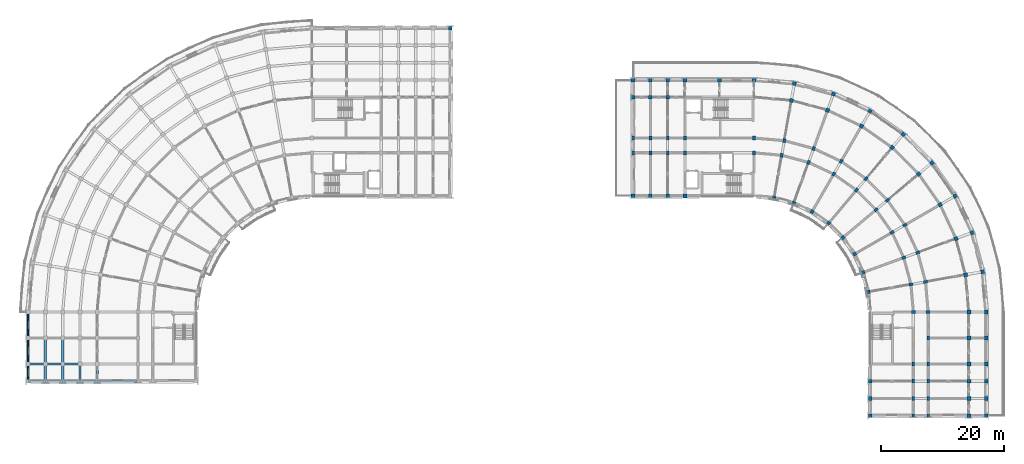
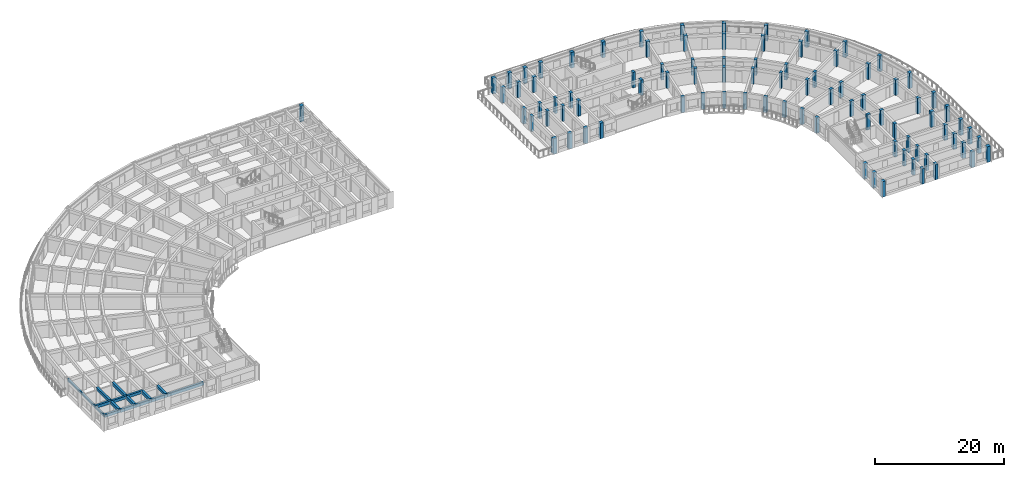
# One storey, part 2 of 36: 90 columns, 17 beams.
"""IFC4 building model written with IfcOpenShell, lengths in metres."""

from ifc_helpers import new_model, si_unit, direction, frame, origin, origin_2d, place, context, subcontext, project, spatial, rectangle, extrude, material, material_profile, profile_set, type_object, element, save


model = new_model("IFC4")

# Units and contexts
model_context = context("Model", 3, precision=1e-05, world=origin(), true_north=direction((0.0, 1.0)))
body_context = subcontext(model_context, "Body", "Model", "MODEL_VIEW")
ifc_project = project(units=[si_unit("LENGTHUNIT", "METRE"), si_unit("AREAUNIT", "SQUARE_METRE"), si_unit("VOLUMEUNIT", "CUBIC_METRE"), si_unit("PLANEANGLEUNIT", "RADIAN"), si_unit("MASSUNIT", "GRAM", prefix="KILO")], contexts=[model_context])

# Site, building, storey
site_placement = place(None, origin())
site = spatial("IfcSite", under=ifc_project, at=site_placement, CompositionType="ELEMENT")
building_placement = place(site_placement, origin())
building = spatial("IfcBuilding", under=site, at=building_placement, Name="Kiranvali Square Residences", CompositionType="ELEMENT")
storey_placement = place(building_placement, frame((0.0, 0.0, 37.050048828125)))
storey = spatial("IfcBuildingStorey", under=building, at=storey_placement, Name="L11", CompositionType="ELEMENT", Elevation=37.050048828125)

# Columns
ifc_material_1 = material(Name="Concrete M40 (40 MPa)", Category="concrete")
ifc_material_profile_1 = material_profile(ifc_material_1, rectangle(XDim=0.550048828125, YDim=0.550048828125, at=origin_2d()), Name="RC 550x550")
ifc_profile_set_1 = profile_set([ifc_material_profile_1], Name="Concrete M40 (40 MPa)")
column_type_1 = type_object("IfcColumnType", Name="COL-M40-550", PredefinedType="COLUMN", material=ifc_profile_set_1)
for number, where, z_axis, x_axis, name in (
    (1, (123.064697265625, 106.314453125, 0.0), (0.0, 0.0, 1.0), (-0.984807753012, 0.173648177667, 0.0), "Block B L11 radial column A01-R0"),
    (2, (126.22998046875, 105.46630859375, 0.0), (0.0, 0.0, 1.0), (-0.939692620786, 0.342020143326, 0.0), "Block B L11 radial column A02-R0"),
    (3, (129.199951171875, 104.081298828125, 0.0), (0.0, 0.0, 1.0), (-0.866025403784, 0.5, 0.0), "Block B L11 radial column A03-R0"),
    (4, (131.884521484375, 102.20166015625, 0.0), (0.0, 0.0, 1.0), (-0.766044443119, 0.642787609687, 0.0), "Block B L11 radial column A04-R0"),
    (5, (134.20166015625, 99.884521484375, 0.0), (0.0, 0.0, 1.0), (-0.642787609687, 0.766044443119, 0.0), "Block B L11 radial column A05-R0"),
    (6, (136.081298828125, 97.199951171875, 0.0), (0.0, 0.0, 1.0), (-0.5, 0.866025403784, 0.0), "Block B L11 radial column A06-R0"),
    (7, (137.46630859375, 94.22998046875, 0.0), (0.0, 0.0, 1.0), (-0.342020143326, 0.939692620786, 0.0), "Block B L11 radial column A07-R0"),
    (8, (138.314453125, 91.064697265625, 0.0), (0.0, 0.0, 1.0), (-0.173648177667, 0.984807753012, 0.0), "Block B L11 radial column A08-R0"),
):
    element("IfcColumn", number, at=place(storey_placement, frame(where, z_axis=z_axis, x_axis=x_axis)), inside=storey, type_object=column_type_1, Name=name, PredefinedType="COLUMN", context=body_context, shape_type="SweptSolid", body=[
        extrude(rectangle(XDim=0.550048828125, YDim=0.550048828125, at=origin_2d()), origin(), (0.0, 0.0, 1.0), 2.929931640625),
    ])
ifc_material_profile_2 = material_profile(ifc_material_1, rectangle(XDim=0.60009765625, YDim=0.60009765625, at=origin_2d()), Name="RC 600x600")
ifc_profile_set_2 = profile_set([ifc_material_profile_2], Name="Concrete M40 (40 MPa)")
column_type_2 = type_object("IfcColumnType", Name="COL-M40-600", PredefinedType="COLUMN", material=ifc_profile_set_2)
for number, where, z_axis, x_axis, name in (
    (9, (70.60009765625, 133.800048828125, 0.0), (0.0, 0.0, 1.0), (1.0, 0.0, 0.0), "Block A L11 Arm 1 column U5-R7"),
    (10, (119.800048828125, 125.39990234375, 0.0), (0.0, 0.0, 1.0), (1.0, 0.0, 0.0), "Block B L11 radial column A00-R4"),
):
    element("IfcColumn", number, at=place(storey_placement, frame(where, z_axis=z_axis, x_axis=x_axis)), inside=storey, type_object=column_type_2, Name=name, PredefinedType="COLUMN", context=body_context, shape_type="SweptSolid", body=[
        extrude(rectangle(XDim=0.60009765625, YDim=0.60009765625, at=origin_2d()), origin(), (0.0, 0.0, 1.0), 2.969970703125),
    ])
column_1_placement = place(storey_placement, frame((125.843017578125, 122.0712890625, 0.0), z_axis=(0.0, 0.0, 1.0), x_axis=(-0.984807753012, 0.173648177667, 0.0)))
element("IfcColumn", 11, at=column_1_placement, inside=storey, type_object=column_type_2, Name="Block B L11 radial column A01-R3", PredefinedType="COLUMN", context=body_context, shape_type="SweptSolid", body=[
    extrude(rectangle(XDim=0.60009765625, YDim=0.60009765625, at=origin_2d()), origin(), (0.0, 0.0, 1.0), 2.929931640625),
])
column_2_placement = place(storey_placement, frame((126.3291015625, 124.828857421875, 0.0), z_axis=(0.0, 0.0, 1.0), x_axis=(-0.984807753012, 0.173648177667, 0.0)))
element("IfcColumn", 12, at=column_2_placement, inside=storey, type_object=column_type_2, Name="Block B L11 radial column A01-R4", PredefinedType="COLUMN", context=body_context, shape_type="SweptSolid", body=[
    extrude(rectangle(XDim=0.60009765625, YDim=0.60009765625, at=origin_2d()), origin(), (0.0, 0.0, 1.0), 2.969970703125),
])
column_3_placement = place(storey_placement, frame((131.702392578125, 120.501220703125, 0.0), z_axis=(0.0, 0.0, 1.0), x_axis=(-0.939692620786, 0.342020143326, 0.0)))
element("IfcColumn", 13, at=column_3_placement, inside=storey, type_object=column_type_2, Name="Block B L11 radial column A02-R3", PredefinedType="COLUMN", context=body_context, shape_type="SweptSolid", body=[
    extrude(rectangle(XDim=0.60009765625, YDim=0.60009765625, at=origin_2d()), origin(), (0.0, 0.0, 1.0), 2.929931640625),
])
column_4_placement = place(storey_placement, frame((132.659912109375, 123.13232421875, 0.0), z_axis=(0.0, 0.0, 1.0), x_axis=(-0.939692620786, 0.342020143326, 0.0)))
element("IfcColumn", 14, at=column_4_placement, inside=storey, type_object=column_type_2, Name="Block B L11 radial column A02-R4", PredefinedType="COLUMN", context=body_context, shape_type="SweptSolid", body=[
    extrude(rectangle(XDim=0.60009765625, YDim=0.60009765625, at=origin_2d()), origin(), (0.0, 0.0, 1.0), 2.969970703125),
])
column_5_placement = place(storey_placement, frame((137.199951171875, 117.937744140625, 0.0), z_axis=(0.0, 0.0, 1.0), x_axis=(-0.866025403784, 0.5, 0.0)))
element("IfcColumn", 15, at=column_5_placement, inside=storey, type_object=column_type_2, Name="Block B L11 radial column A03-R3", PredefinedType="COLUMN", context=body_context, shape_type="SweptSolid", body=[
    extrude(rectangle(XDim=0.60009765625, YDim=0.60009765625, at=origin_2d()), origin(), (0.0, 0.0, 1.0), 2.929931640625),
])
column_6_placement = place(storey_placement, frame((138.60009765625, 120.362548828125, 0.0), z_axis=(0.0, 0.0, 1.0), x_axis=(-0.866025403784, 0.5, 0.0)))
element("IfcColumn", 16, at=column_6_placement, inside=storey, type_object=column_type_2, Name="Block B L11 radial column A03-R4", PredefinedType="COLUMN", context=body_context, shape_type="SweptSolid", body=[
    extrude(rectangle(XDim=0.60009765625, YDim=0.60009765625, at=origin_2d()), origin(), (0.0, 0.0, 1.0), 2.969970703125),
])
column_7_placement = place(storey_placement, frame((142.1689453125, 114.458251953125, 0.0), z_axis=(0.0, 0.0, 1.0), x_axis=(-0.766044443119, 0.642787609687, 0.0)))
element("IfcColumn", 17, at=column_7_placement, inside=storey, type_object=column_type_2, Name="Block B L11 radial column A04-R3", PredefinedType="COLUMN", context=body_context, shape_type="SweptSolid", body=[
    extrude(rectangle(XDim=0.60009765625, YDim=0.60009765625, at=origin_2d()), origin(), (0.0, 0.0, 1.0), 2.929931640625),
])
column_8_placement = place(storey_placement, frame((143.96875, 116.603271484375, 0.0), z_axis=(0.0, 0.0, 1.0), x_axis=(-0.766044443119, 0.642787609687, 0.0)))
element("IfcColumn", 18, at=column_8_placement, inside=storey, type_object=column_type_2, Name="Block B L11 radial column A04-R4", PredefinedType="COLUMN", context=body_context, shape_type="SweptSolid", body=[
    extrude(rectangle(XDim=0.60009765625, YDim=0.60009765625, at=origin_2d()), origin(), (0.0, 0.0, 1.0), 2.969970703125),
])
column_9_placement = place(storey_placement, frame((146.458251953125, 110.1689453125, 0.0), z_axis=(0.0, 0.0, 1.0), x_axis=(-0.642787609687, 0.766044443119, 0.0)))
element("IfcColumn", 19, at=column_9_placement, inside=storey, type_object=column_type_2, Name="Block B L11 radial column A05-R3", PredefinedType="COLUMN", context=body_context, shape_type="SweptSolid", body=[
    extrude(rectangle(XDim=0.60009765625, YDim=0.60009765625, at=origin_2d()), origin(), (0.0, 0.0, 1.0), 2.929931640625),
])
column_10_placement = place(storey_placement, frame((148.603271484375, 111.96875, 0.0), z_axis=(0.0, 0.0, 1.0), x_axis=(-0.642787609687, 0.766044443119, 0.0)))
element("IfcColumn", 20, at=column_10_placement, inside=storey, type_object=column_type_2, Name="Block B L11 radial column A05-R4", PredefinedType="COLUMN", context=body_context, shape_type="SweptSolid", body=[
    extrude(rectangle(XDim=0.60009765625, YDim=0.60009765625, at=origin_2d()), origin(), (0.0, 0.0, 1.0), 2.969970703125),
])
column_11_placement = place(storey_placement, frame((149.937744140625, 105.199951171875, 0.0), z_axis=(0.0, 0.0, 1.0), x_axis=(-0.5, 0.866025403784, 0.0)))
element("IfcColumn", 21, at=column_11_placement, inside=storey, type_object=column_type_2, Name="Block B L11 radial column A06-R3", PredefinedType="COLUMN", context=body_context, shape_type="SweptSolid", body=[
    extrude(rectangle(XDim=0.60009765625, YDim=0.60009765625, at=origin_2d()), origin(), (0.0, 0.0, 1.0), 2.929931640625),
])
column_12_placement = place(storey_placement, frame((152.362548828125, 106.60009765625, 0.0), z_axis=(0.0, 0.0, 1.0), x_axis=(-0.5, 0.866025403784, 0.0)))
element("IfcColumn", 22, at=column_12_placement, inside=storey, type_object=column_type_2, Name="Block B L11 radial column A06-R4", PredefinedType="COLUMN", context=body_context, shape_type="SweptSolid", body=[
    extrude(rectangle(XDim=0.60009765625, YDim=0.60009765625, at=origin_2d()), origin(), (0.0, 0.0, 1.0), 2.969970703125),
])
column_13_placement = place(storey_placement, frame((152.501220703125, 99.702392578125, 0.0), z_axis=(0.0, 0.0, 1.0), x_axis=(-0.342020143326, 0.939692620786, 0.0)))
element("IfcColumn", 23, at=column_13_placement, inside=storey, type_object=column_type_2, Name="Block B L11 radial column A07-R3", PredefinedType="COLUMN", context=body_context, shape_type="SweptSolid", body=[
    extrude(rectangle(XDim=0.60009765625, YDim=0.60009765625, at=origin_2d()), origin(), (0.0, 0.0, 1.0), 2.929931640625),
])
column_14_placement = place(storey_placement, frame((155.13232421875, 100.659912109375, 0.0), z_axis=(0.0, 0.0, 1.0), x_axis=(-0.342020143326, 0.939692620786, 0.0)))
element("IfcColumn", 24, at=column_14_placement, inside=storey, type_object=column_type_2, Name="Block B L11 radial column A07-R4", PredefinedType="COLUMN", context=body_context, shape_type="SweptSolid", body=[
    extrude(rectangle(XDim=0.60009765625, YDim=0.60009765625, at=origin_2d()), origin(), (0.0, 0.0, 1.0), 2.969970703125),
])
column_15_placement = place(storey_placement, frame((154.0712890625, 93.843017578125, 0.0), z_axis=(0.0, 0.0, 1.0), x_axis=(-0.173648177667, 0.984807753012, 0.0)))
element("IfcColumn", 25, at=column_15_placement, inside=storey, type_object=column_type_2, Name="Block B L11 radial column A08-R3", PredefinedType="COLUMN", context=body_context, shape_type="SweptSolid", body=[
    extrude(rectangle(XDim=0.60009765625, YDim=0.60009765625, at=origin_2d()), origin(), (0.0, 0.0, 1.0), 2.929931640625),
])
column_16_placement = place(storey_placement, frame((156.828857421875, 94.3291015625, 0.0), z_axis=(0.0, 0.0, 1.0), x_axis=(-0.173648177667, 0.984807753012, 0.0)))
element("IfcColumn", 26, at=column_16_placement, inside=storey, type_object=column_type_2, Name="Block B L11 radial column A08-R4", PredefinedType="COLUMN", context=body_context, shape_type="SweptSolid", body=[
    extrude(rectangle(XDim=0.60009765625, YDim=0.60009765625, at=origin_2d()), origin(), (0.0, 0.0, 1.0), 2.969970703125),
])
column_17_placement = place(storey_placement, frame((154.60009765625, 87.800048828125, 0.0), z_axis=(0.0, 0.0, 1.0), x_axis=(0.0, 1.0, 0.0)))
element("IfcColumn", 27, at=column_17_placement, inside=storey, type_object=column_type_2, Name="Block B L11 radial column A09-R3", PredefinedType="COLUMN", context=body_context, shape_type="SweptSolid", body=[
    extrude(rectangle(XDim=0.60009765625, YDim=0.60009765625, at=origin_2d()), origin(), (0.0, 0.0, 1.0), 2.929931640625),
])
for number, where, z_axis, x_axis, name in (
    (28, (157.39990234375, 87.800048828125, 0.0), (0.0, 0.0, 1.0), (0.0, 1.0, 0.0), "Block B L11 radial column A09-R4"),
    (29, (114.199951171875, 125.39990234375, 0.0), (0.0, 0.0, 1.0), (1.0, 0.0, 0.0), "Block B L11 core-front column U0-R4"),
):
    element("IfcColumn", number, at=place(storey_placement, frame(where, z_axis=z_axis, x_axis=x_axis)), inside=storey, type_object=column_type_2, Name=name, PredefinedType="COLUMN", context=body_context, shape_type="SweptSolid", body=[
        extrude(rectangle(XDim=0.60009765625, YDim=0.60009765625, at=origin_2d()), origin(), (0.0, 0.0, 1.0), 2.969970703125),
    ])
column_18_placement = place(storey_placement, frame((108.60009765625, 106.60009765625, 0.0), z_axis=(0.0, 0.0, 1.0), x_axis=(1.0, 0.0, 0.0)))
element("IfcColumn", 30, at=column_18_placement, inside=storey, type_object=column_type_2, Name="Block B L11 Arm 1 column U1-R0", PredefinedType="COLUMN", context=body_context, shape_type="SweptSolid", body=[
    extrude(rectangle(XDim=0.60009765625, YDim=0.60009765625, at=origin_2d()), origin(), (0.0, 0.0, 1.0), 2.929931640625),
])
column_19_placement = place(storey_placement, frame((108.60009765625, 125.39990234375, 0.0), z_axis=(0.0, 0.0, 1.0), x_axis=(1.0, 0.0, 0.0)))
element("IfcColumn", 31, at=column_19_placement, inside=storey, type_object=column_type_2, Name="Block B L11 Arm 1 column U1-R4", PredefinedType="COLUMN", context=body_context, shape_type="SweptSolid", body=[
    extrude(rectangle(XDim=0.60009765625, YDim=0.60009765625, at=origin_2d()), origin(), (0.0, 0.0, 1.0), 2.969970703125),
])
for number, where, z_axis, x_axis, name in (
    (32, (105.800048828125, 106.60009765625, 0.0), (0.0, 0.0, 1.0), (1.0, 0.0, 0.0), "Block B L11 Arm 1 column U2-R0"),
    (33, (105.800048828125, 122.60009765625, 0.0), (0.0, 0.0, 1.0), (1.0, 0.0, 0.0), "Block B L11 Arm 1 column U2-R3"),
):
    element("IfcColumn", number, at=place(storey_placement, frame(where, z_axis=z_axis, x_axis=x_axis)), inside=storey, type_object=column_type_2, Name=name, PredefinedType="COLUMN", context=body_context, shape_type="SweptSolid", body=[
        extrude(rectangle(XDim=0.60009765625, YDim=0.60009765625, at=origin_2d()), origin(), (0.0, 0.0, 1.0), 2.929931640625),
    ])
column_20_placement = place(storey_placement, frame((105.800048828125, 125.39990234375, 0.0), z_axis=(0.0, 0.0, 1.0), x_axis=(1.0, 0.0, 0.0)))
element("IfcColumn", 34, at=column_20_placement, inside=storey, type_object=column_type_2, Name="Block B L11 Arm 1 column U2-R4", PredefinedType="COLUMN", context=body_context, shape_type="SweptSolid", body=[
    extrude(rectangle(XDim=0.60009765625, YDim=0.60009765625, at=origin_2d()), origin(), (0.0, 0.0, 1.0), 2.969970703125),
])
for number, where, z_axis, x_axis, name in (
    (35, (103.0, 106.60009765625, 0.0), (0.0, 0.0, 1.0), (1.0, 0.0, 0.0), "Block B L11 Arm 1 column U3-R0"),
    (36, (103.0, 122.60009765625, 0.0), (0.0, 0.0, 1.0), (1.0, 0.0, 0.0), "Block B L11 Arm 1 column U3-R3"),
):
    element("IfcColumn", number, at=place(storey_placement, frame(where, z_axis=z_axis, x_axis=x_axis)), inside=storey, type_object=column_type_2, Name=name, PredefinedType="COLUMN", context=body_context, shape_type="SweptSolid", body=[
        extrude(rectangle(XDim=0.60009765625, YDim=0.60009765625, at=origin_2d()), origin(), (0.0, 0.0, 1.0), 2.929931640625),
    ])
column_21_placement = place(storey_placement, frame((103.0, 125.39990234375, 0.0), z_axis=(0.0, 0.0, 1.0), x_axis=(1.0, 0.0, 0.0)))
element("IfcColumn", 37, at=column_21_placement, inside=storey, type_object=column_type_2, Name="Block B L11 Arm 1 column U3-R4", PredefinedType="COLUMN", context=body_context, shape_type="SweptSolid", body=[
    extrude(rectangle(XDim=0.60009765625, YDim=0.60009765625, at=origin_2d()), origin(), (0.0, 0.0, 1.0), 2.969970703125),
])
for number, where, z_axis, x_axis, name in (
    (38, (100.199951171875, 106.60009765625, 0.0), (0.0, 0.0, 1.0), (1.0, 0.0, 0.0), "Block B L11 Arm 1 column U4-R0"),
    (39, (100.199951171875, 122.60009765625, 0.0), (0.0, 0.0, 1.0), (1.0, 0.0, 0.0), "Block B L11 Arm 1 column U4-R3"),
):
    element("IfcColumn", number, at=place(storey_placement, frame(where, z_axis=z_axis, x_axis=x_axis)), inside=storey, type_object=column_type_2, Name=name, PredefinedType="COLUMN", context=body_context, shape_type="SweptSolid", body=[
        extrude(rectangle(XDim=0.60009765625, YDim=0.60009765625, at=origin_2d()), origin(), (0.0, 0.0, 1.0), 2.929931640625),
    ])
column_22_placement = place(storey_placement, frame((100.199951171875, 125.39990234375, 0.0), z_axis=(0.0, 0.0, 1.0), x_axis=(1.0, 0.0, 0.0)))
element("IfcColumn", 40, at=column_22_placement, inside=storey, type_object=column_type_2, Name="Block B L11 Arm 1 column U4-R4", PredefinedType="COLUMN", context=body_context, shape_type="SweptSolid", body=[
    extrude(rectangle(XDim=0.60009765625, YDim=0.60009765625, at=origin_2d()), origin(), (0.0, 0.0, 1.0), 2.969970703125),
])
column_23_placement = place(storey_placement, frame((154.60009765625, 83.60009765625, 0.0), z_axis=(0.0, 0.0, 1.0), x_axis=(1.0, 0.0, 0.0)))
element("IfcColumn", 41, at=column_23_placement, inside=storey, type_object=column_type_2, Name="Block B L11 Arm 2 mid-core column V0-R3", PredefinedType="COLUMN", context=body_context, shape_type="SweptSolid", body=[
    extrude(rectangle(XDim=0.60009765625, YDim=0.60009765625, at=origin_2d()), origin(), (0.0, 0.0, 1.0), 2.929931640625),
])
column_24_placement = place(storey_placement, frame((157.39990234375, 83.60009765625, 0.0), z_axis=(0.0, 0.0, 1.0), x_axis=(1.0, 0.0, 0.0)))
element("IfcColumn", 42, at=column_24_placement, inside=storey, type_object=column_type_2, Name="Block B L11 Arm 2 mid-core column V0-R4", PredefinedType="COLUMN", context=body_context, shape_type="SweptSolid", body=[
    extrude(rectangle(XDim=0.60009765625, YDim=0.60009765625, at=origin_2d()), origin(), (0.0, 0.0, 1.0), 2.969970703125),
])
column_25_placement = place(storey_placement, frame((154.60009765625, 79.39990234375, 0.0), z_axis=(0.0, 0.0, 1.0), x_axis=(1.0, 0.0, 0.0)))
element("IfcColumn", 43, at=column_25_placement, inside=storey, type_object=column_type_2, Name="Block B L11 Arm 2 column V1-R3", PredefinedType="COLUMN", context=body_context, shape_type="SweptSolid", body=[
    extrude(rectangle(XDim=0.60009765625, YDim=0.60009765625, at=origin_2d()), origin(), (0.0, 0.0, 1.0), 2.929931640625),
])
column_26_placement = place(storey_placement, frame((157.39990234375, 79.39990234375, 0.0), z_axis=(0.0, 0.0, 1.0), x_axis=(1.0, 0.0, 0.0)))
element("IfcColumn", 44, at=column_26_placement, inside=storey, type_object=column_type_2, Name="Block B L11 Arm 2 column V1-R4", PredefinedType="COLUMN", context=body_context, shape_type="SweptSolid", body=[
    extrude(rectangle(XDim=0.60009765625, YDim=0.60009765625, at=origin_2d()), origin(), (0.0, 0.0, 1.0), 2.969970703125),
])
for number, where, z_axis, x_axis, name in (
    (45, (138.60009765625, 76.60009765625, 0.0), (0.0, 0.0, 1.0), (1.0, 0.0, 0.0), "Block B L11 Arm 2 column V2-R0"),
    (46, (154.60009765625, 76.60009765625, 0.0), (0.0, 0.0, 1.0), (1.0, 0.0, 0.0), "Block B L11 Arm 2 column V2-R3"),
):
    element("IfcColumn", number, at=place(storey_placement, frame(where, z_axis=z_axis, x_axis=x_axis)), inside=storey, type_object=column_type_2, Name=name, PredefinedType="COLUMN", context=body_context, shape_type="SweptSolid", body=[
        extrude(rectangle(XDim=0.60009765625, YDim=0.60009765625, at=origin_2d()), origin(), (0.0, 0.0, 1.0), 2.929931640625),
    ])
column_27_placement = place(storey_placement, frame((157.39990234375, 76.60009765625, 0.0), z_axis=(0.0, 0.0, 1.0), x_axis=(1.0, 0.0, 0.0)))
element("IfcColumn", 47, at=column_27_placement, inside=storey, type_object=column_type_2, Name="Block B L11 Arm 2 column V2-R4", PredefinedType="COLUMN", context=body_context, shape_type="SweptSolid", body=[
    extrude(rectangle(XDim=0.60009765625, YDim=0.60009765625, at=origin_2d()), origin(), (0.0, 0.0, 1.0), 2.969970703125),
])
for number, where, z_axis, x_axis, name in (
    (48, (138.60009765625, 73.800048828125, 0.0), (0.0, 0.0, 1.0), (1.0, 0.0, 0.0), "Block B L11 Arm 2 column V3-R0"),
    (49, (154.60009765625, 73.800048828125, 0.0), (0.0, 0.0, 1.0), (1.0, 0.0, 0.0), "Block B L11 Arm 2 column V3-R3"),
):
    element("IfcColumn", number, at=place(storey_placement, frame(where, z_axis=z_axis, x_axis=x_axis)), inside=storey, type_object=column_type_2, Name=name, PredefinedType="COLUMN", context=body_context, shape_type="SweptSolid", body=[
        extrude(rectangle(XDim=0.60009765625, YDim=0.60009765625, at=origin_2d()), origin(), (0.0, 0.0, 1.0), 2.929931640625),
    ])
column_28_placement = place(storey_placement, frame((157.39990234375, 73.800048828125, 0.0), z_axis=(0.0, 0.0, 1.0), x_axis=(1.0, 0.0, 0.0)))
element("IfcColumn", 50, at=column_28_placement, inside=storey, type_object=column_type_2, Name="Block B L11 Arm 2 column V3-R4", PredefinedType="COLUMN", context=body_context, shape_type="SweptSolid", body=[
    extrude(rectangle(XDim=0.60009765625, YDim=0.60009765625, at=origin_2d()), origin(), (0.0, 0.0, 1.0), 2.969970703125),
])
for number, where, z_axis, x_axis, name in (
    (51, (138.60009765625, 71.0, 0.0), (0.0, 0.0, 1.0), (1.0, 0.0, 0.0), "Block B L11 Arm 2 column V4-R0"),
    (52, (154.60009765625, 71.0, 0.0), (0.0, 0.0, 1.0), (1.0, 0.0, 0.0), "Block B L11 Arm 2 column V4-R3"),
):
    element("IfcColumn", number, at=place(storey_placement, frame(where, z_axis=z_axis, x_axis=x_axis)), inside=storey, type_object=column_type_2, Name=name, PredefinedType="COLUMN", context=body_context, shape_type="SweptSolid", body=[
        extrude(rectangle(XDim=0.60009765625, YDim=0.60009765625, at=origin_2d()), origin(), (0.0, 0.0, 1.0), 2.929931640625),
    ])
column_29_placement = place(storey_placement, frame((157.39990234375, 71.0, 0.0), z_axis=(0.0, 0.0, 1.0), x_axis=(1.0, 0.0, 0.0)))
element("IfcColumn", 53, at=column_29_placement, inside=storey, type_object=column_type_2, Name="Block B L11 Arm 2 column V4-R4", PredefinedType="COLUMN", context=body_context, shape_type="SweptSolid", body=[
    extrude(rectangle(XDim=0.60009765625, YDim=0.60009765625, at=origin_2d()), origin(), (0.0, 0.0, 1.0), 2.969970703125),
])
ifc_material_profile_3 = material_profile(ifc_material_1, rectangle(XDim=0.449951171875, YDim=0.64990234375, at=origin_2d()), Name="RC 650x450")
ifc_profile_set_3 = profile_set([ifc_material_profile_3], Name="Concrete M40 (40 MPa)")
column_type_3 = type_object("IfcColumnType", Name="COL-M40-650x450", PredefinedType="COLUMN", material=ifc_profile_set_3)
for number, where, z_axis, x_axis, name in (
    (54, (119.800048828125, 113.60009765625, 0.0), (0.0, 0.0, 1.0), (1.0, 0.0, 0.0), "Block B L11 radial column A00-R1"),
    (55, (119.800048828125, 116.0, 0.0), (0.0, 0.0, 1.0), (1.0, 0.0, 0.0), "Block B L11 radial column A00-R2"),
    (56, (124.280029296875, 113.2080078125, 0.0), (0.0, 0.0, 1.0), (-0.984807753012, 0.173648177667, 0.0), "Block B L11 radial column A01-R1"),
    (57, (124.69677734375, 115.571533203125, 0.0), (0.0, 0.0, 1.0), (-0.984807753012, 0.173648177667, 0.0), "Block B L11 radial column A01-R2"),
    (58, (128.6240234375, 112.044189453125, 0.0), (0.0, 0.0, 1.0), (-0.939692620786, 0.342020143326, 0.0), "Block B L11 radial column A02-R1"),
    (59, (129.445068359375, 114.29931640625, 0.0), (0.0, 0.0, 1.0), (-0.939692620786, 0.342020143326, 0.0), "Block B L11 radial column A02-R2"),
    (60, (132.699951171875, 110.1435546875, 0.0), (0.0, 0.0, 1.0), (-0.866025403784, 0.5, 0.0), "Block B L11 radial column A03-R1"),
    (61, (133.89990234375, 112.221923828125, 0.0), (0.0, 0.0, 1.0), (-0.866025403784, 0.5, 0.0), "Block B L11 radial column A03-R2"),
    (62, (136.384033203125, 107.56396484375, 0.0), (0.0, 0.0, 1.0), (-0.766044443119, 0.642787609687, 0.0), "Block B L11 radial column A04-R1"),
    (63, (137.926513671875, 109.40234375, 0.0), (0.0, 0.0, 1.0), (-0.766044443119, 0.642787609687, 0.0), "Block B L11 radial column A04-R2"),
    (64, (139.56396484375, 104.384033203125, 0.0), (0.0, 0.0, 1.0), (-0.642787609687, 0.766044443119, 0.0), "Block B L11 radial column A05-R1"),
    (65, (141.40234375, 105.926513671875, 0.0), (0.0, 0.0, 1.0), (-0.642787609687, 0.766044443119, 0.0), "Block B L11 radial column A05-R2"),
    (66, (142.1435546875, 100.699951171875, 0.0), (0.0, 0.0, 1.0), (-0.5, 0.866025403784, 0.0), "Block B L11 radial column A06-R1"),
    (67, (144.221923828125, 101.89990234375, 0.0), (0.0, 0.0, 1.0), (-0.5, 0.866025403784, 0.0), "Block B L11 radial column A06-R2"),
    (68, (144.044189453125, 96.6240234375, 0.0), (0.0, 0.0, 1.0), (-0.342020143326, 0.939692620786, 0.0), "Block B L11 radial column A07-R1"),
    (69, (146.29931640625, 97.445068359375, 0.0), (0.0, 0.0, 1.0), (-0.342020143326, 0.939692620786, 0.0), "Block B L11 radial column A07-R2"),
    (70, (145.2080078125, 92.280029296875, 0.0), (0.0, 0.0, 1.0), (-0.173648177667, 0.984807753012, 0.0), "Block B L11 radial column A08-R1"),
    (71, (147.571533203125, 92.69677734375, 0.0), (0.0, 0.0, 1.0), (-0.173648177667, 0.984807753012, 0.0), "Block B L11 radial column A08-R2"),
    (72, (145.60009765625, 87.800048828125, 0.0), (0.0, 0.0, 1.0), (0.0, 1.0, 0.0), "Block B L11 radial column A09-R1"),
    (73, (148.0, 87.800048828125, 0.0), (0.0, 0.0, 1.0), (0.0, 1.0, 0.0), "Block B L11 radial column A09-R2"),
    (74, (108.60009765625, 113.60009765625, 0.0), (0.0, 0.0, 1.0), (1.0, 0.0, 0.0), "Block B L11 Arm 1 column U1-R1"),
    (75, (108.60009765625, 116.0, 0.0), (0.0, 0.0, 1.0), (1.0, 0.0, 0.0), "Block B L11 Arm 1 column U1-R2"),
    (76, (105.800048828125, 113.60009765625, 0.0), (0.0, 0.0, 1.0), (1.0, 0.0, 0.0), "Block B L11 Arm 1 column U2-R1"),
    (77, (105.800048828125, 116.0, 0.0), (0.0, 0.0, 1.0), (1.0, 0.0, 0.0), "Block B L11 Arm 1 column U2-R2"),
    (78, (103.0, 113.60009765625, 0.0), (0.0, 0.0, 1.0), (1.0, 0.0, 0.0), "Block B L11 Arm 1 column U3-R1"),
    (79, (103.0, 116.0, 0.0), (0.0, 0.0, 1.0), (1.0, 0.0, 0.0), "Block B L11 Arm 1 column U3-R2"),
    (80, (100.199951171875, 113.60009765625, 0.0), (0.0, 0.0, 1.0), (1.0, 0.0, 0.0), "Block B L11 Arm 1 column U4-R1"),
    (81, (100.199951171875, 116.0, 0.0), (0.0, 0.0, 1.0), (1.0, 0.0, 0.0), "Block B L11 Arm 1 column U4-R2"),
    (82, (148.0, 83.60009765625, 0.0), (0.0, 0.0, 1.0), (1.0, 0.0, 0.0), "Block B L11 Arm 2 mid-core column V0-R2"),
    (83, (145.60009765625, 79.39990234375, 0.0), (0.0, 0.0, 1.0), (1.0, 0.0, 0.0), "Block B L11 Arm 2 column V1-R1"),
    (84, (148.0, 79.39990234375, 0.0), (0.0, 0.0, 1.0), (1.0, 0.0, 0.0), "Block B L11 Arm 2 column V1-R2"),
    (85, (145.60009765625, 76.60009765625, 0.0), (0.0, 0.0, 1.0), (1.0, 0.0, 0.0), "Block B L11 Arm 2 column V2-R1"),
    (86, (148.0, 76.60009765625, 0.0), (0.0, 0.0, 1.0), (1.0, 0.0, 0.0), "Block B L11 Arm 2 column V2-R2"),
    (87, (145.60009765625, 73.800048828125, 0.0), (0.0, 0.0, 1.0), (1.0, 0.0, 0.0), "Block B L11 Arm 2 column V3-R1"),
    (88, (148.0, 73.800048828125, 0.0), (0.0, 0.0, 1.0), (1.0, 0.0, 0.0), "Block B L11 Arm 2 column V3-R2"),
    (89, (145.60009765625, 71.0, 0.0), (0.0, 0.0, 1.0), (1.0, 0.0, 0.0), "Block B L11 Arm 2 column V4-R1"),
    (90, (148.0, 71.0, 0.0), (0.0, 0.0, 1.0), (1.0, 0.0, 0.0), "Block B L11 Arm 2 column V4-R2"),
):
    element("IfcColumn", number, at=place(storey_placement, frame(where, z_axis=z_axis, x_axis=x_axis)), inside=storey, type_object=column_type_3, Name=name, PredefinedType="COLUMN", context=body_context, shape_type="SweptSolid", body=[
        extrude(rectangle(XDim=0.449951171875, YDim=0.64990234375, at=origin_2d()), origin(), (0.0, 0.0, 1.0), 2.929931640625),
    ])

# Beams
ifc_material_profile_4 = material_profile(ifc_material_1, rectangle(XDim=0.35009765625, YDim=0.550048828125, at=origin_2d()), Name="RC 350x550")
ifc_profile_set_4 = profile_set([ifc_material_profile_4], Name="Concrete M40 (40 MPa)")
beam_type_1 = type_object("IfcBeamType", Name="BM-M40-350x550", PredefinedType="BEAM", material=ifc_profile_set_4)
for number, where, z_axis, x_axis, name in (
    (91, (10.60009765625, 79.39990234375, 2.655029296875), (-1.0, 0.0, 0.0), (0.0, -1.0, 0.0), "L11 beam BM-A-L11-A2T1-45"),
    (92, (7.800048828125, 79.39990234375, 2.655029296875), (-1.0, 0.0, 0.0), (0.0, -1.0, 0.0), "L11 beam BM-A-L11-A2T1-56"),
    (93, (5.0, 79.39990234375, 2.695068359375), (-1.0, 0.0, 0.0), (0.0, -1.0, 0.0), "L11 beam BM-A-L11-A2T1-67"),
):
    element("IfcBeam", number, at=place(storey_placement, frame(where, z_axis=z_axis, x_axis=x_axis)), inside=storey, type_object=beam_type_1, Name=name, PredefinedType="BEAM", context=body_context, shape_type="SweptSolid", body=[
        extrude(rectangle(XDim=0.35009765625, YDim=0.550048828125, at=origin_2d()), origin(), (0.0, 0.0, 1.0), 2.800048828125),
    ])
beam_1_placement = place(storey_placement, frame((20.0, 76.60009765625, 2.655029296875), z_axis=(-1.0, 0.0, 0.0), x_axis=(0.0, -1.0, 0.0)))
element("IfcBeam", 94, at=beam_1_placement, inside=storey, type_object=beam_type_1, Name="L11 beam BM-A-L11-A2T2-23", PredefinedType="BEAM", context=body_context, shape_type="SweptSolid", body=[
    extrude(rectangle(XDim=0.35009765625, YDim=0.550048828125, at=origin_2d()), origin(), (0.0, 0.0, 1.0), 6.60009765625),
])
beam_2_placement = place(storey_placement, frame((13.39990234375, 76.60009765625, 2.655029296875), z_axis=(-1.0, 0.0, 0.0), x_axis=(0.0, -1.0, 0.0)))
element("IfcBeam", 95, at=beam_2_placement, inside=storey, type_object=beam_type_1, Name="L11 beam BM-A-L11-A2T2-34", PredefinedType="BEAM", context=body_context, shape_type="SweptSolid", body=[
    extrude(rectangle(XDim=0.35009765625, YDim=0.550048828125, at=origin_2d()), origin(), (0.0, 0.0, 1.0), 2.7998046875),
])
for number, where, z_axis, x_axis, name in (
    (96, (10.60009765625, 76.60009765625, 2.655029296875), (-1.0, 0.0, 0.0), (0.0, -1.0, 0.0), "L11 beam BM-A-L11-A2T2-45"),
    (97, (7.800048828125, 76.60009765625, 2.655029296875), (-1.0, 0.0, 0.0), (0.0, -1.0, 0.0), "L11 beam BM-A-L11-A2T2-56"),
    (98, (5.0, 76.60009765625, 2.695068359375), (-1.0, 0.0, 0.0), (0.0, -1.0, 0.0), "L11 beam BM-A-L11-A2T2-67"),
):
    element("IfcBeam", number, at=place(storey_placement, frame(where, z_axis=z_axis, x_axis=x_axis)), inside=storey, type_object=beam_type_1, Name=name, PredefinedType="BEAM", context=body_context, shape_type="SweptSolid", body=[
        extrude(rectangle(XDim=0.35009765625, YDim=0.550048828125, at=origin_2d()), origin(), (0.0, 0.0, 1.0), 2.800048828125),
    ])
ifc_material_2 = material(Name="Concrete M45 (45 MPa)", Category="concrete")
ifc_material_profile_5 = material_profile(ifc_material_2, rectangle(XDim=0.39990234375, YDim=0.550048828125, at=origin_2d()), Name="RC 400x550")
ifc_profile_set_5 = profile_set([ifc_material_profile_5], Name="Concrete M45 (45 MPa)")
beam_type_2 = type_object("IfcBeamType", Name="BM-M45-400x550", PredefinedType="BEAM", material=ifc_profile_set_5)
for number, where, z_axis, x_axis, name in (
    (99, (13.39990234375, 79.39990234375, 2.655029296875), (0.0, -1.0, 0.0), (1.0, 0.0, 0.0), "L11 beam BM-A-L11-A2V2-R3"),
    (100, (10.60009765625, 79.39990234375, 2.655029296875), (0.0, -1.0, 0.0), (1.0, 0.0, 0.0), "L11 beam BM-A-L11-A2V2-R4"),
):
    element("IfcBeam", number, at=place(storey_placement, frame(where, z_axis=z_axis, x_axis=x_axis)), inside=storey, type_object=beam_type_2, Name=name, PredefinedType="BEAM", context=body_context, shape_type="SweptSolid", body=[
        extrude(rectangle(XDim=0.39990234375, YDim=0.550048828125, at=origin_2d()), origin(), (0.0, 0.0, 1.0), 2.7998046875),
    ])
beam_3_placement = place(storey_placement, frame((7.800048828125, 83.60009765625, 2.655029296875), z_axis=(0.0, -1.0, 0.0), x_axis=(1.0, 0.0, 0.0)))
element("IfcBeam", 101, at=beam_3_placement, inside=storey, type_object=beam_type_2, Name="L11 beam BM-A-L11-A2V1-R5", PredefinedType="BEAM", context=body_context, shape_type="SweptSolid", body=[
    extrude(rectangle(XDim=0.39990234375, YDim=0.550048828125, at=origin_2d()), origin(), (0.0, 0.0, 1.0), 4.2001953125),
])
beam_4_placement = place(storey_placement, frame((7.800048828125, 79.39990234375, 2.655029296875), z_axis=(0.0, -1.0, 0.0), x_axis=(1.0, 0.0, 0.0)))
element("IfcBeam", 102, at=beam_4_placement, inside=storey, type_object=beam_type_2, Name="L11 beam BM-A-L11-A2V2-R5", PredefinedType="BEAM", context=body_context, shape_type="SweptSolid", body=[
    extrude(rectangle(XDim=0.39990234375, YDim=0.550048828125, at=origin_2d()), origin(), (0.0, 0.0, 1.0), 2.7998046875),
])
beam_5_placement = place(storey_placement, frame((5.0, 83.60009765625, 2.655029296875), z_axis=(0.0, -1.0, 0.0), x_axis=(1.0, 0.0, 0.0)))
element("IfcBeam", 103, at=beam_5_placement, inside=storey, type_object=beam_type_2, Name="L11 beam BM-A-L11-A2V1-R6", PredefinedType="BEAM", context=body_context, shape_type="SweptSolid", body=[
    extrude(rectangle(XDim=0.39990234375, YDim=0.550048828125, at=origin_2d()), origin(), (0.0, 0.0, 1.0), 4.2001953125),
])
beam_6_placement = place(storey_placement, frame((5.0, 79.39990234375, 2.655029296875), z_axis=(0.0, -1.0, 0.0), x_axis=(1.0, 0.0, 0.0)))
element("IfcBeam", 104, at=beam_6_placement, inside=storey, type_object=beam_type_2, Name="L11 beam BM-A-L11-A2V2-R6", PredefinedType="BEAM", context=body_context, shape_type="SweptSolid", body=[
    extrude(rectangle(XDim=0.39990234375, YDim=0.550048828125, at=origin_2d()), origin(), (0.0, 0.0, 1.0), 2.7998046875),
])
ifc_material_profile_6 = material_profile(ifc_material_1, rectangle(XDim=0.25, YDim=0.449951171875, at=origin_2d()), Name="RC 250x450")
ifc_profile_set_6 = profile_set([ifc_material_profile_6], Name="Concrete M40 (40 MPa)")
beam_type_3 = type_object("IfcBeamType", Name="SPN-M40-250x450", PredefinedType="SPANDREL", material=ifc_profile_set_6)
beam_7_placement = place(storey_placement, frame((2.199951171875, 87.800048828125, 2.744873046875), z_axis=(0.0, -1.0, 0.0), x_axis=(1.0, 0.0, 0.0)))
element("IfcBeam", 105, at=beam_7_placement, inside=storey, type_object=beam_type_3, Name="L11 beam BM-A-L11-A2V0-R7", PredefinedType="SPANDREL", context=body_context, shape_type="SweptSolid", body=[
    extrude(rectangle(XDim=0.25, YDim=0.449951171875, at=origin_2d()), origin(), (0.0, 0.0, 1.0), 4.199951171875),
])
beam_8_placement = place(storey_placement, frame((2.199951171875, 83.60009765625, 2.744873046875), z_axis=(0.0, -1.0, 0.0), x_axis=(1.0, 0.0, 0.0)))
element("IfcBeam", 106, at=beam_8_placement, inside=storey, type_object=beam_type_3, Name="L11 beam BM-A-L11-A2V1-R7", PredefinedType="SPANDREL", context=body_context, shape_type="SweptSolid", body=[
    extrude(rectangle(XDim=0.25, YDim=0.449951171875, at=origin_2d()), origin(), (0.0, 0.0, 1.0), 4.2001953125),
])
beam_9_placement = place(storey_placement, frame((2.199951171875, 79.39990234375, 2.744873046875), z_axis=(0.0, -1.0, 0.0), x_axis=(1.0, 0.0, 0.0)))
element("IfcBeam", 107, at=beam_9_placement, inside=storey, type_object=beam_type_3, Name="L11 beam BM-A-L11-A2V2-R7", PredefinedType="SPANDREL", context=body_context, shape_type="SweptSolid", body=[
    extrude(rectangle(XDim=0.25, YDim=0.449951171875, at=origin_2d()), origin(), (0.0, 0.0, 1.0), 2.7998046875),
])

save(model, "model.ifc")
